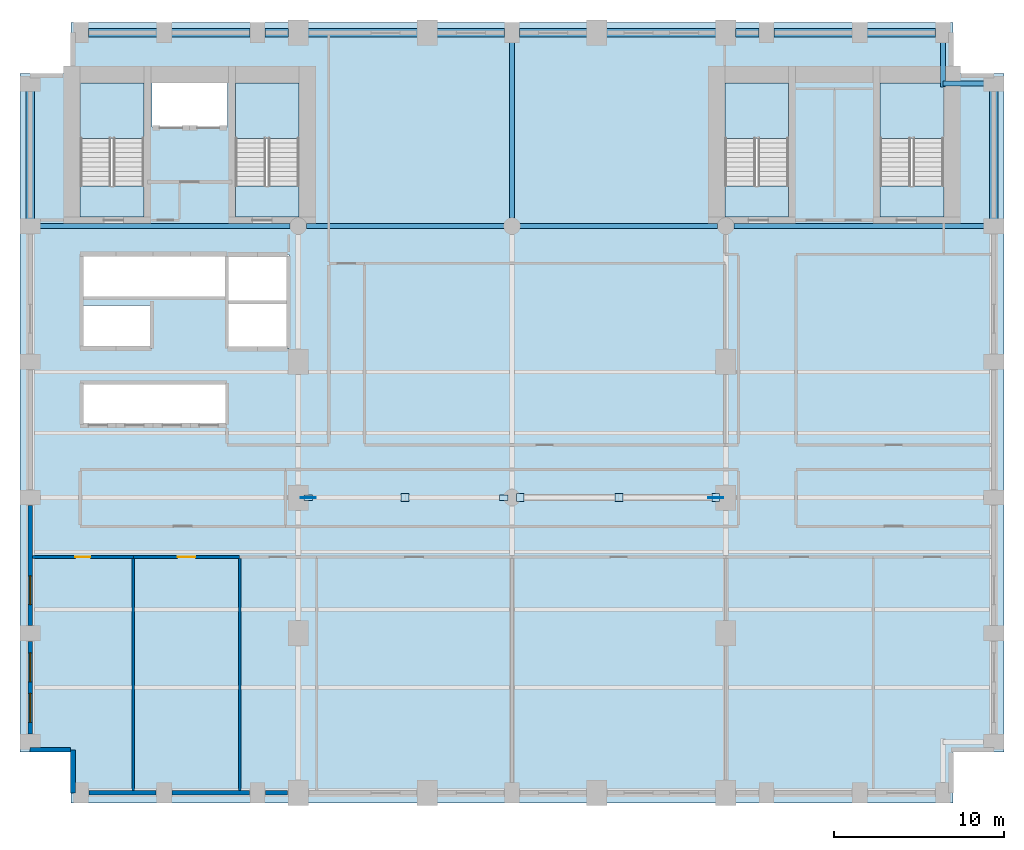
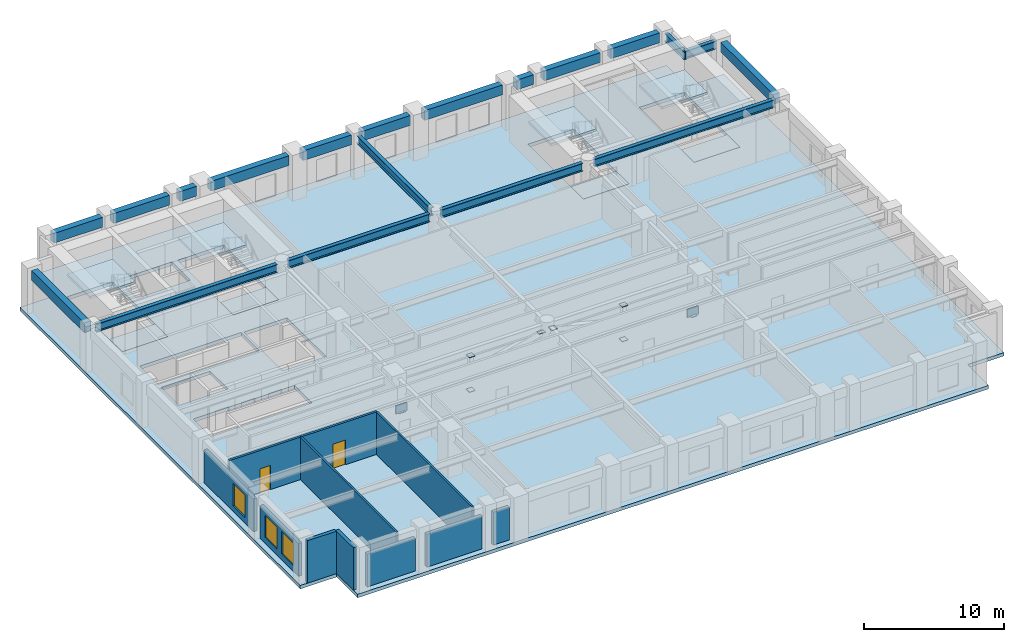
# One storey, part 4 of 10: 19 beams, 11 walls, 10 plates, 9 slabs, 3 windows, 2 doors, 5 openings, 4 elements without a shape of their own.
"""IFC4 building model written with IfcOpenShell, lengths in metres."""

from ifc_helpers import new_model, si_unit, direction, frame, frame_2d, origin, origin_2d, place, context, subcontext, project, spatial, polyline, rectangle, i_section, outline, extrude, material, layer, layer_set, material_profile, profile_set, type_object, element, fill, aggregate, save


model = new_model("IFC4")

# Units and contexts
model_context = context("Model", 3, precision=1e-05, world=origin(), true_north=direction((0.0, 1.0)))
body_context = subcontext(model_context, "Body", "Model", "MODEL_VIEW")
ifc_project = project(units=[si_unit("LENGTHUNIT", "METRE"), si_unit("AREAUNIT", "SQUARE_METRE"), si_unit("VOLUMEUNIT", "CUBIC_METRE"), si_unit("PLANEANGLEUNIT", "RADIAN"), si_unit("MASSUNIT", "GRAM", prefix="KILO")], contexts=[model_context])

# Site, building, storey
site_placement = place(None, origin())
site = spatial("IfcSite", under=ifc_project, at=site_placement, CompositionType="ELEMENT")
building_placement = place(site_placement, origin())
building = spatial("IfcBuilding", under=site, at=building_placement, Name="Sulina Concourse Tower", CompositionType="ELEMENT")
storey_placement = place(building_placement, frame((0.0, 0.0, 54.60009765625)))
storey = spatial("IfcBuildingStorey", under=building, at=storey_placement, Name="L13", CompositionType="ELEMENT", Elevation=54.60009765625)

# Beams
ifc_material_1 = material(Name="Steel S355", Category="steel")
ifc_material_profile_1 = material_profile(ifc_material_1, i_section(OverallWidth=0.300048828125, OverallDepth=0.699951171875, WebThickness=0.01708984375, FlangeThickness=0.031982421875, at=origin_2d()), Name="HE 700 B")
ifc_profile_set_1 = profile_set([ifc_material_profile_1], Name="Steel S355")
beam_type_1 = type_object("IfcBeamType", Name="Floor Primary Girder Zone 1 HE700B", PredefinedType="BEAM", material=ifc_profile_set_1)
beam_1_placement = place(storey_placement, frame((54.39990234375, 42.39990234375, 3.349853515625), z_axis=(1.0, 0.0, 0.0), x_axis=(0.0, 1.0, 0.0)))
element("IfcBeam", 1, at=beam_1_placement, inside=storey, type_object=beam_type_1, Name="TIE-NE-L13", PredefinedType="BEAM", context=body_context, shape_type="SweptSolid", body=[
    extrude(i_section(OverallWidth=0.300048828125, OverallDepth=0.699951171875, WebThickness=0.01708984375, FlangeThickness=0.031982421875, at=origin_2d()), origin(), (0.0, 0.0, 1.0), 2.570068359375),
])
beam_2_placement = place(storey_placement, frame((54.39990234375, 42.199951171875, 3.349853515625), z_axis=(0.0, 1.0, 0.0), x_axis=(-1.0, 0.0, 0.0)))
element("IfcBeam", 2, at=beam_2_placement, inside=storey, type_object=beam_type_1, Name="TIE-NEN-L13", PredefinedType="BEAM", context=body_context, shape_type="SweptSolid", body=[
    extrude(i_section(OverallWidth=0.300048828125, OverallDepth=0.699951171875, WebThickness=0.01708984375, FlangeThickness=0.031982421875, at=origin_2d()), origin(), (0.0, 0.0, 1.0), 2.77001953125),
])
beam_3_placement = place(storey_placement, frame((1.030029296875, 34.0, 3.349853515625), z_axis=(1.0, 0.0, 0.0), x_axis=(0.0, 1.0, 0.0)))
element("IfcBeam", 3, at=beam_3_placement, inside=storey, type_object=beam_type_1, Name="FG-EWN1-L13", PredefinedType="BEAM", context=body_context, shape_type="SweptSolid", body=[
    extrude(i_section(OverallWidth=0.300048828125, OverallDepth=0.699951171875, WebThickness=0.01708984375, FlangeThickness=0.031982421875, at=origin_2d()), origin(), (0.0, 0.0, 1.0), 14.889892578125),
])
for number, where, z_axis, x_axis, name in (
    (4, (16.8798828125, 34.0, 3.349853515625), (1.0, 0.0, 0.0), (0.0, 1.0, 0.0), "FG-EWN2-L13"),
    (5, (29.47998046875, 34.0, 3.349853515625), (1.0, 0.0, 0.0), (0.0, 1.0, 0.0), "FG-EWN3-L13"),
):
    element("IfcBeam", number, at=place(storey_placement, frame(where, z_axis=z_axis, x_axis=x_axis)), inside=storey, type_object=beam_type_1, Name=name, PredefinedType="BEAM", context=body_context, shape_type="SweptSolid", body=[
        extrude(i_section(OverallWidth=0.300048828125, OverallDepth=0.699951171875, WebThickness=0.01708984375, FlangeThickness=0.031982421875, at=origin_2d()), origin(), (0.0, 0.0, 1.0), 11.64013671875),
    ])
beam_4_placement = place(storey_placement, frame((42.080078125, 34.0, 3.349853515625), z_axis=(1.0, 0.0, 0.0), x_axis=(0.0, 1.0, 0.0)))
element("IfcBeam", 6, at=beam_4_placement, inside=storey, type_object=beam_type_1, Name="FG-EWN4-L13", PredefinedType="BEAM", context=body_context, shape_type="SweptSolid", body=[
    extrude(i_section(OverallWidth=0.300048828125, OverallDepth=0.699951171875, WebThickness=0.01708984375, FlangeThickness=0.031982421875, at=origin_2d()), origin(), (0.0, 0.0, 1.0), 14.889892578125),
])
beam_5_placement = place(storey_placement, frame((29.0, 34.47998046875, 3.349853515625), z_axis=(0.0, 1.0, 0.0), x_axis=(-1.0, 0.0, 0.0)))
element("IfcBeam", 7, at=beam_5_placement, inside=storey, type_object=beam_type_1, Name="FG-NSC-29-L13", PredefinedType="BEAM", context=body_context, shape_type="SweptSolid", body=[
    extrude(i_section(OverallWidth=0.300048828125, OverallDepth=0.699951171875, WebThickness=0.01708984375, FlangeThickness=0.031982421875, at=origin_2d()), origin(), (0.0, 0.0, 1.0), 10.489990234375),
])
ifc_material_2 = material(Name="Precast concrete C50/60", Category="concrete")
ifc_material_profile_2 = material_profile(ifc_material_2, rectangle(XDim=0.5, YDim=0.85009765625, at=origin_2d()), Name="RC 500x850")
ifc_profile_set_2 = profile_set([ifc_material_profile_2], Name="Precast concrete C50/60")
beam_type_2 = type_object("IfcBeamType", Name="Lower Precast Spandrel Edge Beam 500x850", PredefinedType="BEAM", material=ifc_profile_set_2)
beam_6_placement = place(storey_placement, frame((4.030029296875, 45.39990234375, 3.27490234375), z_axis=(1.0, 0.0, 0.0), x_axis=(0.0, 1.0, 0.0)))
element("IfcBeam", 8, at=beam_6_placement, inside=storey, type_object=beam_type_2, Name="SP-N1-L13", PredefinedType="BEAM", context=body_context, shape_type="SweptSolid", body=[
    extrude(rectangle(XDim=0.5, YDim=0.85009765625, at=origin_2d()), origin(), (0.0, 0.0, 1.0), 4.0400390625),
])
beam_7_placement = place(storey_placement, frame((8.929931640625, 45.39990234375, 3.27490234375), z_axis=(1.0, 0.0, 0.0), x_axis=(0.0, 1.0, 0.0)))
element("IfcBeam", 9, at=beam_7_placement, inside=storey, type_object=beam_type_2, Name="SP-N2-L13", PredefinedType="BEAM", context=body_context, shape_type="SweptSolid", body=[
    extrude(rectangle(XDim=0.5, YDim=0.85009765625, at=origin_2d()), origin(), (0.0, 0.0, 1.0), 4.64013671875),
])
beam_8_placement = place(storey_placement, frame((14.429931640625, 45.39990234375, 3.27490234375), z_axis=(1.0, 0.0, 0.0), x_axis=(0.0, 1.0, 0.0)))
element("IfcBeam", 10, at=beam_8_placement, inside=storey, type_object=beam_type_2, Name="SP-N3-L13", PredefinedType="BEAM", context=body_context, shape_type="SweptSolid", body=[
    extrude(rectangle(XDim=0.5, YDim=0.85009765625, at=origin_2d()), origin(), (0.0, 0.0, 1.0), 1.39013671875),
])
beam_9_placement = place(storey_placement, frame((16.97998046875, 45.39990234375, 3.27490234375), z_axis=(1.0, 0.0, 0.0), x_axis=(0.0, 1.0, 0.0)))
element("IfcBeam", 11, at=beam_9_placement, inside=storey, type_object=beam_type_2, Name="SP-N4-L13", PredefinedType="BEAM", context=body_context, shape_type="SweptSolid", body=[
    extrude(rectangle(XDim=0.5, YDim=0.85009765625, at=origin_2d()), origin(), (0.0, 0.0, 1.0), 6.43994140625),
])
for number, where, z_axis, x_axis, name in (
    (12, (24.580078125, 45.39990234375, 3.27490234375), (1.0, 0.0, 0.0), (0.0, 1.0, 0.0), "SP-N5-L13"),
    (13, (29.429931640625, 45.39990234375, 3.27490234375), (1.0, 0.0, 0.0), (0.0, 1.0, 0.0), "SP-N6-L13"),
):
    element("IfcBeam", number, at=place(storey_placement, frame(where, z_axis=z_axis, x_axis=x_axis)), inside=storey, type_object=beam_type_2, Name=name, PredefinedType="BEAM", context=body_context, shape_type="SweptSolid", body=[
        extrude(rectangle(XDim=0.5, YDim=0.85009765625, at=origin_2d()), origin(), (0.0, 0.0, 1.0), 3.989990234375),
    ])
beam_10_placement = place(storey_placement, frame((34.580078125, 45.39990234375, 3.27490234375), z_axis=(1.0, 0.0, 0.0), x_axis=(0.0, 1.0, 0.0)))
element("IfcBeam", 14, at=beam_10_placement, inside=storey, type_object=beam_type_2, Name="SP-N7-L13", PredefinedType="BEAM", context=body_context, shape_type="SweptSolid", body=[
    extrude(rectangle(XDim=0.5, YDim=0.85009765625, at=origin_2d()), origin(), (0.0, 0.0, 1.0), 6.43994140625),
])
beam_11_placement = place(storey_placement, frame((42.179931640625, 45.39990234375, 3.27490234375), z_axis=(1.0, 0.0, 0.0), x_axis=(0.0, 1.0, 0.0)))
element("IfcBeam", 15, at=beam_11_placement, inside=storey, type_object=beam_type_2, Name="SP-N8-L13", PredefinedType="BEAM", context=body_context, shape_type="SweptSolid", body=[
    extrude(rectangle(XDim=0.5, YDim=0.85009765625, at=origin_2d()), origin(), (0.0, 0.0, 1.0), 1.39013671875),
])
beam_12_placement = place(storey_placement, frame((44.429931640625, 45.39990234375, 3.27490234375), z_axis=(1.0, 0.0, 0.0), x_axis=(0.0, 1.0, 0.0)))
element("IfcBeam", 16, at=beam_12_placement, inside=storey, type_object=beam_type_2, Name="SP-N9-L13", PredefinedType="BEAM", context=body_context, shape_type="SweptSolid", body=[
    extrude(rectangle(XDim=0.5, YDim=0.85009765625, at=origin_2d()), origin(), (0.0, 0.0, 1.0), 4.64013671875),
])
beam_13_placement = place(storey_placement, frame((49.929931640625, 45.39990234375, 3.27490234375), z_axis=(1.0, 0.0, 0.0), x_axis=(0.0, 1.0, 0.0)))
element("IfcBeam", 17, at=beam_13_placement, inside=storey, type_object=beam_type_2, Name="SP-N10-L13", PredefinedType="BEAM", context=body_context, shape_type="SweptSolid", body=[
    extrude(rectangle(XDim=0.5, YDim=0.85009765625, at=origin_2d()), origin(), (0.0, 0.0, 1.0), 4.0400390625),
])
for number, where, z_axis, x_axis, name in (
    (18, (0.60009765625, 34.429931640625, 3.27490234375), (0.0, 1.0, 0.0), (-1.0, 0.0, 0.0), "SP-W5-L13"),
    (19, (57.39990234375, 34.429931640625, 3.27490234375), (0.0, 1.0, 0.0), (-1.0, 0.0, 0.0), "SP-E5-L13"),
):
    element("IfcBeam", number, at=place(storey_placement, frame(where, z_axis=z_axis, x_axis=x_axis)), inside=storey, type_object=beam_type_2, Name=name, PredefinedType="BEAM", context=body_context, shape_type="SweptSolid", body=[
        extrude(rectangle(XDim=0.5, YDim=0.85009765625, at=origin_2d()), origin(), (0.0, 0.0, 1.0), 7.5400390625),
    ])

# Plates
ifc_material_3 = material(Name="Steel S355", Category="steel")
ifc_layer_1 = layer(ifc_material_3, 0.050048828125)
ifc_layer_set_1 = layer_set([ifc_layer_1], Name="Steel S355")
plate_type_1 = type_object("IfcPlateType", Name="Bridge Truss Node Gusset Plate 50mm", PredefinedType="USERDEFINED", material=ifc_layer_set_1)
for number, where, z_axis, x_axis, name in (
    (20, (16.989990234375, 18.0, 0.06982421875), (0.0, 0.0, 1.0), (1.0, 0.0, 0.0), "LBT-DG-1-L13 node gusset plate"),
    (21, (41.010009765625, 18.0, 0.06982421875), (0.0, 0.0, 1.0), (1.0, 0.0, 0.0), "LBT-DG-2-L13 node gusset plate"),
):
    element("IfcPlate", number, at=place(storey_placement, frame(where, z_axis=z_axis, x_axis=x_axis)), inside=storey, type_object=plate_type_1, Name=name, ObjectType="GUSSET_PLATE", PredefinedType="USERDEFINED", context=body_context, shape_type="SweptSolid", body=[
        extrude(rectangle(XDim=0.89990234375, YDim=0.050048828125, at=origin_2d()), origin(), (0.0, 0.0, 1.0), 0.699951171875),
    ])
ifc_material_4 = material(Name="Steel S355", Category="steel")
ifc_layer_2 = layer(ifc_material_4, 0.035888671875)
ifc_layer_set_2 = layer_set([ifc_layer_2], Name="Steel S355")
plate_type_2 = type_object("IfcPlateType", Name="Heavy RHS500 End-Cap Plate 36mm", PredefinedType="USERDEFINED", material=ifc_layer_set_2)
for number, where, z_axis, x_axis, name in (
    (22, (16.989990234375, 18.0, 0.10205078125), (0.0, 0.0, 1.0), (1.0, 0.0, 0.0), "LBT-DG-1-L13 end cap plate 1"),
    (23, (28.510009765625, 18.0, 2.9921875), (0.0, 0.0, 1.0), (1.0, 0.0, 0.0), "LBT-DG-1-L13 end cap plate 2"),
):
    element("IfcPlate", number, at=place(storey_placement, frame(where, z_axis=z_axis, x_axis=x_axis)), inside=storey, type_object=plate_type_2, Name=name, ObjectType="CAP_PLATE", PredefinedType="USERDEFINED", context=body_context, shape_type="SweptSolid", body=[
        extrude(rectangle(XDim=0.52001953125, YDim=0.320068359375, at=origin_2d()), origin(), (0.0, 0.0, 1.0), 0.035888671875),
    ])

# Slab
ifc_material_5 = material(Name="Concrete C50/60", Category="concrete")
ifc_layer_3 = layer(ifc_material_5, 0.300048828125)
ifc_layer_set_3 = layer_set([ifc_layer_3], Name="Concrete C50/60")
slab_type_1 = type_object("IfcSlabType", Name="Low-Rise Composite Floor Slab 300mm", PredefinedType="FLOOR", material=ifc_layer_set_3)
slab_1_placement = place(storey_placement, frame((0.0, 0.0, -0.300048828125)))
element("IfcSlab", 24, at=slab_1_placement, inside=storey, type_object=slab_type_1, Name="L13 structural floor slab", PredefinedType="FLOOR", context=body_context, shape_type="SweptSolid", body=[
    extrude(outline(polyline([(3.0, 0.0), (55.0, 0.0), (55.0, 3.0), (58.0, 3.0), (58.0, 43.0), (55.0, 43.0), (55.0, 46.0), (3.0, 46.0), (3.0, 43.0), (0.0, 43.0), (0.0, 3.0), (3.0, 3.0), (3.0, 0.0)]), holes=[polyline([(7.31005859375, 34.550048828125), (7.31005859375, 42.429931640625), (3.550048828125, 42.429931640625), (3.550048828125, 34.550048828125), (7.31005859375, 34.550048828125)]), polyline([(16.449951171875, 34.550048828125), (16.449951171875, 42.429931640625), (12.68994140625, 42.429931640625), (12.68994140625, 34.550048828125), (16.449951171875, 34.550048828125)]), polyline([(45.31005859375, 34.550048828125), (45.31005859375, 42.429931640625), (41.550048828125, 42.429931640625), (41.550048828125, 34.550048828125), (45.31005859375, 34.550048828125)]), polyline([(54.449951171875, 34.550048828125), (54.449951171875, 42.429931640625), (50.68994140625, 42.429931640625), (50.68994140625, 34.550048828125), (54.449951171875, 34.550048828125)]), polyline([(7.780029296875, 39.830078125), (12.219970703125, 39.830078125), (12.219970703125, 42.449951171875), (7.780029296875, 42.449951171875), (7.780029296875, 39.830078125)]), polyline([(3.739990234375, 26.780029296875), (7.77001953125, 26.780029296875), (7.77001953125, 29.320068359375), (3.739990234375, 29.320068359375), (3.739990234375, 26.780029296875)]), polyline([(3.739990234375, 29.780029296875), (12.10009765625, 29.780029296875), (12.10009765625, 32.3701171875), (3.739990234375, 32.3701171875), (3.739990234375, 29.780029296875)]), polyline([(3.739990234375, 22.280029296875), (12.10009765625, 22.280029296875), (12.10009765625, 24.77001953125), (3.739990234375, 24.77001953125), (3.739990234375, 22.280029296875)]), polyline([(12.280029296875, 26.780029296875), (15.85009765625, 26.780029296875), (15.85009765625, 32.320068359375), (12.280029296875, 32.320068359375), (12.280029296875, 26.780029296875)])]), origin(), (0.0, 0.0, 1.0), 0.300048828125),
])

# Plates
ifc_material_6 = material(Name="Steel S355", Category="steel")
ifc_layer_4 = layer(ifc_material_6, 0.028076171875)
ifc_layer_set_4 = layer_set([ifc_layer_4], Name="Steel S355")
plate_type_3 = type_object("IfcPlateType", Name="Medium Hollow Section End-Cap Plate 28mm", PredefinedType="USERDEFINED", material=ifc_layer_set_4)
for number, where, z_axis, x_axis, name in (
    (25, (22.699951171875, 18.0, -0.00927734375), (0.0, 0.0, 1.0), (1.0, 0.0, 0.0), "LBT-VP-1-L13 end cap plate 1"),
    (26, (22.699951171875, 18.0, 2.99609375), (0.0, 0.0, 1.0), (1.0, 0.0, 0.0), "LBT-VP-1-L13 end cap plate 2"),
    (27, (41.010009765625, 18.0, 0.10595703125), (0.0, 0.0, 1.0), (1.0, 0.0, 0.0), "LBT-DG-2-L13 end cap plate 1"),
    (28, (29.489990234375, 18.0, 2.99609375), (0.0, 0.0, 1.0), (1.0, 0.0, 0.0), "LBT-DG-2-L13 end cap plate 2"),
    (29, (35.300048828125, 18.0, -0.00927734375), (0.0, 0.0, 1.0), (1.0, 0.0, 0.0), "LBT-VP-2-L13 end cap plate 1"),
    (30, (35.300048828125, 18.0, 2.99609375), (0.0, 0.0, 1.0), (1.0, 0.0, 0.0), "LBT-VP-2-L13 end cap plate 2"),
):
    element("IfcPlate", number, at=place(storey_placement, frame(where, z_axis=z_axis, x_axis=x_axis)), inside=storey, type_object=plate_type_3, Name=name, ObjectType="CAP_PLATE", PredefinedType="USERDEFINED", context=body_context, shape_type="SweptSolid", body=[
        extrude(rectangle(XDim=0.4599609375, YDim=0.4599609375, at=origin_2d()), origin(), (0.0, 0.0, 1.0), 0.028076171875),
    ])

# Slabs
ifc_material_7 = material(Name="Concrete C50/60", Category="concrete")
ifc_layer_5 = layer(ifc_material_7, 0.199951171875)
ifc_layer_set_5 = layer_set([ifc_layer_5], Name="Concrete C50/60")
slab_type_2 = type_object("IfcSlabType", Name="Primary Core Stair Landing Slab 200mm", PredefinedType="LANDING", material=ifc_layer_set_5)
slab_2_placement = place(storey_placement, frame((0.0, 0.0, -0.2001953125)))
element("IfcSlab", 31, at=slab_2_placement, inside=storey, type_object=slab_type_2, Name="L13 ST-1 floor landing slab", PredefinedType="LANDING", context=body_context, shape_type="SweptSolid", body=[
    extrude(outline(polyline([(7.31005859375, 34.550048828125), (7.31005859375, 36.375), (3.550048828125, 36.375), (3.550048828125, 34.550048828125), (7.31005859375, 34.550048828125)])), origin(), (0.0, 0.0, 1.0), 0.2001953125),
])
slab_3_placement = place(storey_placement, frame((0.0, 0.0, -0.2001953125)))
element("IfcSlab", 32, at=slab_3_placement, inside=storey, type_object=slab_type_2, Name="L13 ST-2 floor landing slab", PredefinedType="LANDING", context=body_context, shape_type="SweptSolid", body=[
    extrude(outline(polyline([(16.449951171875, 34.550048828125), (16.449951171875, 36.375), (12.68994140625, 36.375), (12.68994140625, 34.550048828125), (16.449951171875, 34.550048828125)])), origin(), (0.0, 0.0, 1.0), 0.2001953125),
])
slab_4_placement = place(storey_placement, frame((0.0, 0.0, -0.2001953125)))
element("IfcSlab", 33, at=slab_4_placement, inside=storey, type_object=slab_type_2, Name="L13 ST-3 floor landing slab", PredefinedType="LANDING", context=body_context, shape_type="SweptSolid", body=[
    extrude(outline(polyline([(45.31005859375, 34.550048828125), (45.31005859375, 36.375), (41.550048828125, 36.375), (41.550048828125, 34.550048828125), (45.31005859375, 34.550048828125)])), origin(), (0.0, 0.0, 1.0), 0.2001953125),
])
slab_5_placement = place(storey_placement, frame((0.0, 0.0, -0.2001953125)))
element("IfcSlab", 34, at=slab_5_placement, inside=storey, type_object=slab_type_2, Name="L13 ST-4 floor landing slab", PredefinedType="LANDING", context=body_context, shape_type="SweptSolid", body=[
    extrude(outline(polyline([(54.449951171875, 34.550048828125), (54.449951171875, 36.375), (50.68994140625, 36.375), (50.68994140625, 34.550048828125), (54.449951171875, 34.550048828125)])), origin(), (0.0, 0.0, 1.0), 0.2001953125),
])

# Stair, slab
ifc_material_8 = material(Name="Concrete C50/60", Category="concrete")
stair_type_1 = type_object("IfcStairType", Name="Primary Core Dog-Leg Exit Stair 1800mm", PredefinedType="HALF_TURN_STAIR", material=ifc_material_8)
stair_1_placement = place(storey_placement, origin())
stair_1 = element("IfcStair", 35, at=stair_1_placement, inside=storey, type_object=stair_type_1, Name="L13 ST-1", PredefinedType="HALF_TURN_STAIR")
slab_6_placement = place(storey_placement, frame((0.0, 0.0, 1.7998046875)))
slab_6 = element("IfcSlab", 36, at=slab_6_placement, type_object=slab_type_2, Name="ST-1 landing 1", PredefinedType="LANDING", context=body_context, shape_type="SweptSolid", body=[
    extrude(outline(polyline([(7.304931640625, 39.175048828125), (7.304931640625, 42.425048828125), (3.554931640625, 42.425048828125), (3.554931640625, 39.175048828125), (7.304931640625, 39.175048828125)])), origin(), (0.0, 0.0, 1.0), 0.2001953125),
])
aggregate(stair_1, [slab_6])

stair_2_placement = place(storey_placement, origin())
stair_2 = element("IfcStair", 37, at=stair_2_placement, inside=storey, type_object=stair_type_1, Name="L13 ST-2", PredefinedType="HALF_TURN_STAIR")
slab_7_placement = place(storey_placement, frame((0.0, 0.0, 1.7998046875)))
slab_7 = element("IfcSlab", 38, at=slab_7_placement, type_object=slab_type_2, Name="ST-2 landing 1", PredefinedType="LANDING", context=body_context, shape_type="SweptSolid", body=[
    extrude(outline(polyline([(16.445068359375, 39.175048828125), (16.445068359375, 42.425048828125), (12.695068359375, 42.425048828125), (12.695068359375, 39.175048828125), (16.445068359375, 39.175048828125)])), origin(), (0.0, 0.0, 1.0), 0.2001953125),
])
aggregate(stair_2, [slab_7])

ifc_material_9 = material(Name="Concrete C50/60", Category="concrete")
stair_type_2 = type_object("IfcStairType", Name="Portal & Podium Core Exit Stair 1820mm", PredefinedType="HALF_TURN_STAIR", material=ifc_material_9)
stair_3_placement = place(storey_placement, origin())
stair_3 = element("IfcStair", 39, at=stair_3_placement, inside=storey, type_object=stair_type_2, Name="L13 ST-3", PredefinedType="HALF_TURN_STAIR")
slab_8_placement = place(storey_placement, frame((0.0, 0.0, 1.7998046875)))
slab_8 = element("IfcSlab", 40, at=slab_8_placement, type_object=slab_type_2, Name="ST-3 landing 1", PredefinedType="LANDING", context=body_context, shape_type="SweptSolid", body=[
    extrude(outline(polyline([(45.304931640625, 39.175048828125), (45.304931640625, 42.425048828125), (41.554931640625, 42.425048828125), (41.554931640625, 39.175048828125), (45.304931640625, 39.175048828125)])), origin(), (0.0, 0.0, 1.0), 0.2001953125),
])
aggregate(stair_3, [slab_8])

stair_4_placement = place(storey_placement, origin())
stair_4 = element("IfcStair", 41, at=stair_4_placement, inside=storey, type_object=stair_type_2, Name="L13 ST-4", PredefinedType="HALF_TURN_STAIR")
slab_9_placement = place(storey_placement, frame((0.0, 0.0, 1.7998046875)))
slab_9 = element("IfcSlab", 42, at=slab_9_placement, type_object=slab_type_2, Name="ST-4 landing 1", PredefinedType="LANDING", context=body_context, shape_type="SweptSolid", body=[
    extrude(outline(polyline([(54.445068359375, 39.175048828125), (54.445068359375, 42.425048828125), (50.695068359375, 42.425048828125), (50.695068359375, 39.175048828125), (54.445068359375, 39.175048828125)])), origin(), (0.0, 0.0, 1.0), 0.2001953125),
])
aggregate(stair_4, [slab_9])

# Walls
ifc_material_10 = material(Name="Gypsum board on steel stud", Category="steel")
ifc_layer_6 = layer(ifc_material_10, 0.14990234375)
ifc_layer_set_6 = layer_set([ifc_layer_6], Name="Gypsum board on steel stud")
wall_type_1 = type_object("IfcWallType", Name="Inter-Tenancy Acoustic Partition 150mm", PredefinedType="PARTITIONING", material=ifc_layer_set_6)
for number, where, z_axis, x_axis, name in (
    (43, (6.679931640625, 0.739990234375, 0.0), (0.0, 0.0, 1.0), (0.0, 1.0, 0.0), "L13 interior partition 028"),
    (44, (12.93994140625, 0.739990234375, 0.0), (0.0, 0.0, 1.0), (0.0, 1.0, 0.0), "L13 interior partition 031"),
):
    element("IfcWall", number, at=place(storey_placement, frame(where, z_axis=z_axis, x_axis=x_axis)), inside=storey, type_object=wall_type_1, Name=name, PredefinedType="PARTITIONING", context=body_context, shape_type="SweptSolid", body=[
        extrude(rectangle(XDim=13.669921875, YDim=0.14990234375, at=frame_2d((6.8349609375, 0.0))), origin(), (0.0, 0.0, 1.0), 3.699951171875),
    ])

# Wall, opening, door
ifc_material_11 = material(Name="Gypsum board on steel stud", Category="steel")
ifc_layer_7 = layer(ifc_material_11, 0.179931640625)
ifc_layer_set_7 = layer_set([ifc_layer_7], Name="Gypsum board on steel stud")
wall_type_2 = type_object("IfcWallType", Name="Protected Corridor & Riser Partition 180mm", PredefinedType="PARTITIONING", material=ifc_layer_set_7)
wall_1_placement = place(storey_placement, frame((0.739990234375, 14.5, 0.0), z_axis=(0.0, 0.0, 1.0), x_axis=(1.0, 0.0, 0.0)))
wall_1 = element("IfcWall", 45, at=wall_1_placement, inside=storey, type_object=wall_type_2, Name="L13 interior partition 001", PredefinedType="PARTITIONING", context=body_context, shape_type="SweptSolid", body=[
    extrude(rectangle(XDim=5.93994140625, YDim=0.179931640625, at=frame_2d((2.969970703125, 0.0))), origin(), (0.0, 0.0, 1.0), 3.699951171875),
])
opening_1_placement = place(wall_1_placement, frame((2.530029296875, 0.0, 0.0)))
opening_1 = element("IfcOpeningElement", 46, at=opening_1_placement, cuts=wall_1, Name="Opening DR-38", PredefinedType="OPENING", context=body_context, shape_type="SweptSolid", body=[
    extrude(rectangle(XDim=0.8798828125, YDim=2.10009765625, at=frame_2d((0.43994140625, 1.050048828125))), frame((0.0, 0.099853515625, 0.0), z_axis=(0.0, -1.0, 0.0), x_axis=(1.0, 0.0, 0.0)), (0.0, 0.0, 1.0), 0.199951171875),
])
ifc_material_12 = material(Name="Galvanised steel acoustic fire leaf", Category="steel")
ifc_layer_8 = layer(ifc_material_12, 0.050048828125)
ifc_layer_set_8 = layer_set([ifc_layer_8], Name="Galvanised steel acoustic fire leaf")
door_type_1 = type_object("IfcDoorType", Name="Service Riser Fire Door 880x2100", OperationType="NOTDEFINED", PredefinedType="DOOR", material=ifc_layer_set_8)
door_1_placement = place(opening_1_placement, origin())
door_1 = element("IfcDoor", 47, at=door_1_placement, inside=storey, type_object=door_type_1, Name="L13 interior door L13-S01", OperationType="SINGLE_SWING_LEFT", OverallHeight=2.10009765625, OverallWidth=0.8798828125, PredefinedType="DOOR", context=body_context, shape_type="SweptSolid", body=[
    extrude(rectangle(XDim=0.8798828125, YDim=2.10009765625, at=frame_2d((0.43994140625, 1.050048828125))), frame((0.0, 0.02490234375, 0.0), z_axis=(0.0, -1.0, 0.0), x_axis=(1.0, 0.0, 0.0)), (0.0, 0.0, 1.0), 0.050048828125),
])
fill(opening_1, door_1)

wall_2_placement = place(storey_placement, frame((6.679931640625, 14.5, 0.0), z_axis=(0.0, 0.0, 1.0), x_axis=(1.0, 0.0, 0.0)))
wall_2 = element("IfcWall", 48, at=wall_2_placement, inside=storey, type_object=wall_type_2, Name="L13 interior partition 002", PredefinedType="PARTITIONING", context=body_context, shape_type="SweptSolid", body=[
    extrude(rectangle(XDim=6.260009765625, YDim=0.179931640625, at=frame_2d((3.1298828125, 0.0))), origin(), (0.0, 0.0, 1.0), 3.699951171875),
])
opening_2_placement = place(wall_2_placement, frame((2.60498046875, 0.0, 0.0)))
opening_2 = element("IfcOpeningElement", 49, at=opening_2_placement, cuts=wall_2, Name="Opening DR-37", PredefinedType="OPENING", context=body_context, shape_type="SweptSolid", body=[
    extrude(rectangle(XDim=1.050048828125, YDim=2.14990234375, at=frame_2d((0.52490234375, 1.074951171875))), frame((0.0, 0.099853515625, 0.0), z_axis=(0.0, -1.0, 0.0), x_axis=(1.0, 0.0, 0.0)), (0.0, 0.0, 1.0), 0.199951171875),
])
ifc_material_13 = material(Name="Oak-veneered fire door leaf")
ifc_layer_9 = layer(ifc_material_13, 0.050048828125)
ifc_layer_set_9 = layer_set([ifc_layer_9], Name="Oak-veneered fire door leaf")
door_type_2 = type_object("IfcDoorType", Name="Tenant Suite Entrance Fire Door 1050x2150", OperationType="NOTDEFINED", PredefinedType="DOOR", material=ifc_layer_set_9)
door_2_placement = place(opening_2_placement, origin())
door_2 = element("IfcDoor", 50, at=door_2_placement, inside=storey, type_object=door_type_2, Name="L13 interior door L13-S02A", OperationType="SINGLE_SWING_RIGHT", OverallHeight=2.14990234375, OverallWidth=1.050048828125, PredefinedType="DOOR", context=body_context, shape_type="SweptSolid", body=[
    extrude(rectangle(XDim=1.050048828125, YDim=2.14990234375, at=frame_2d((0.52490234375, 1.074951171875))), frame((0.0, 0.02490234375, 0.0), z_axis=(0.0, -1.0, 0.0), x_axis=(1.0, 0.0, 0.0)), (0.0, 0.0, 1.0), 0.050048828125),
])
fill(opening_2, door_2)

# Walls
ifc_material_14 = material(Name="Precast concrete C50/60", Category="concrete")
ifc_layer_10 = layer(ifc_material_14, 0.280029296875)
ifc_layer_set_10 = layer_set([ifc_layer_10], Name="Precast concrete C50/60")
wall_type_3 = type_object("IfcWallType", Name="Typical Precast Masonry-Frame Facade Wall 280mm", PredefinedType="SOLIDWALL", material=ifc_layer_set_10)
wall_3_placement = place(storey_placement, frame((8.030029296875, 0.60009765625, 0.0), z_axis=(0.0, 0.0, 1.0), x_axis=(-1.0, 0.0, 0.0)))
element("IfcWall", 51, at=wall_3_placement, inside=storey, type_object=wall_type_3, Name="L13 exterior precast wall S1", PredefinedType="SOLIDWALL", context=body_context, shape_type="SweptSolid", body=[
    extrude(rectangle(XDim=3.9599609375, YDim=0.280029296875, at=frame_2d((1.97998046875, 0.0))), origin(), (0.0, 0.0, 1.0), 2.849853515625),
])
wall_4_placement = place(storey_placement, frame((13.530029296875, 0.60009765625, 0.0), z_axis=(0.0, 0.0, 1.0), x_axis=(-1.0, 0.0, 0.0)))
element("IfcWall", 52, at=wall_4_placement, inside=storey, type_object=wall_type_3, Name="L13 exterior precast wall S2", PredefinedType="SOLIDWALL", context=body_context, shape_type="SweptSolid", body=[
    extrude(rectangle(XDim=4.56005859375, YDim=0.280029296875, at=frame_2d((2.280029296875, 0.0))), origin(), (0.0, 0.0, 1.0), 2.849853515625),
])
wall_5_placement = place(storey_placement, frame((15.780029296875, 0.60009765625, 0.0), z_axis=(0.0, 0.0, 1.0), x_axis=(-1.0, 0.0, 0.0)))
element("IfcWall", 53, at=wall_5_placement, inside=storey, type_object=wall_type_3, Name="L13 exterior precast wall S3", PredefinedType="SOLIDWALL", context=body_context, shape_type="SweptSolid", body=[
    extrude(rectangle(XDim=1.31005859375, YDim=0.280029296875, at=frame_2d((0.655029296875, 0.0))), origin(), (0.0, 0.0, 1.0), 2.849853515625),
])

# Wall, openings, windows
wall_6_placement = place(storey_placement, frame((0.60009765625, 4.070068359375, 0.0), z_axis=(0.0, 0.0, 1.0), x_axis=(0.0, 1.0, 0.0)))
wall_6 = element("IfcWall", 54, at=wall_6_placement, inside=storey, type_object=wall_type_3, Name="L13 exterior precast wall W1", PredefinedType="SOLIDWALL", context=body_context, shape_type="SweptSolid", body=[
    extrude(rectangle(XDim=5.4599609375, YDim=0.280029296875, at=frame_2d((2.72998046875, 0.0))), origin(), (0.0, 0.0, 1.0), 2.849853515625),
])
opening_3_placement = place(wall_6_placement, frame((0.686767578125, 0.0, 0.5)))
opening_3 = element("IfcOpeningElement", 55, at=opening_3_placement, cuts=wall_6, Name="Opening WN-66", PredefinedType="OPENING", context=body_context, shape_type="SweptSolid", body=[
    extrude(rectangle(XDim=1.699951171875, YDim=1.949951171875, at=frame_2d((0.85009765625, 0.97509765625))), frame((0.0, 0.14990234375, 0.0), z_axis=(0.0, -1.0, 0.0), x_axis=(1.0, 0.0, 0.0)), (0.0, 0.0, 1.0), 0.300048828125),
])
opening_4_placement = place(wall_6_placement, frame((3.0732421875, 0.0, 0.5)))
opening_4 = element("IfcOpeningElement", 56, at=opening_4_placement, cuts=wall_6, Name="Opening WN-66", PredefinedType="OPENING", context=body_context, shape_type="SweptSolid", body=[
    extrude(rectangle(XDim=1.699951171875, YDim=1.949951171875, at=frame_2d((0.85009765625, 0.97509765625))), frame((0.0, 0.14990234375, 0.0), z_axis=(0.0, -1.0, 0.0), x_axis=(1.0, 0.0, 0.0)), (0.0, 0.0, 1.0), 0.300048828125),
])
ifc_material_15 = material(Name="Low-E solar double glazing in bronze aluminium", Category="aluminium")
window_type = type_object("IfcWindowType", Name="Recessed Spandrel Window 1700x1950", PartitioningType="SINGLE_PANEL", PredefinedType="WINDOW", material=ifc_material_15)
window_1_placement = place(opening_3_placement, origin())
window_1 = element("IfcWindow", 57, at=window_1_placement, inside=storey, type_object=window_type, Name="L13 punched window W1-1", OverallHeight=1.949951171875, OverallWidth=1.699951171875, PartitioningType="SINGLE_PANEL", PredefinedType="WINDOW", context=body_context, shape_type="SweptSolid", body=[
    extrude(rectangle(XDim=1.699951171875, YDim=1.949951171875, at=frame_2d((0.85009765625, 0.97509765625))), frame((0.0, 0.030029296875, 0.0), z_axis=(0.0, -1.0, 0.0), x_axis=(1.0, 0.0, 0.0)), (0.0, 0.0, 1.0), 0.06005859375),
])
fill(opening_3, window_1)
window_2_placement = place(opening_4_placement, origin())
window_2 = element("IfcWindow", 58, at=window_2_placement, inside=storey, type_object=window_type, Name="L13 punched window W1-2", OverallHeight=1.949951171875, OverallWidth=1.699951171875, PartitioningType="SINGLE_PANEL", PredefinedType="WINDOW", context=body_context, shape_type="SweptSolid", body=[
    extrude(rectangle(XDim=1.699951171875, YDim=1.949951171875, at=frame_2d((0.85009765625, 0.97509765625))), frame((0.0, 0.030029296875, 0.0), z_axis=(0.0, -1.0, 0.0), x_axis=(1.0, 0.0, 0.0)), (0.0, 0.0, 1.0), 0.06005859375),
])
fill(opening_4, window_2)

# Wall, opening, window
wall_7_placement = place(storey_placement, frame((0.60009765625, 10.469970703125, 0.0), z_axis=(0.0, 0.0, 1.0), x_axis=(0.0, 1.0, 0.0)))
wall_7 = element("IfcWall", 59, at=wall_7_placement, inside=storey, type_object=wall_type_3, Name="L13 exterior precast wall W2", PredefinedType="SOLIDWALL", context=body_context, shape_type="SweptSolid", body=[
    extrude(rectangle(XDim=7.06005859375, YDim=0.280029296875, at=frame_2d((3.530029296875, 0.0))), origin(), (0.0, 0.0, 1.0), 2.849853515625),
])
opening_5_placement = place(wall_7_placement, frame((1.219970703125, 0.0, 0.5)))
opening_5 = element("IfcOpeningElement", 60, at=opening_5_placement, cuts=wall_7, Name="Opening WN-66", PredefinedType="OPENING", context=body_context, shape_type="SweptSolid", body=[
    extrude(rectangle(XDim=1.699951171875, YDim=1.949951171875, at=frame_2d((0.85009765625, 0.97509765625))), frame((0.0, 0.14990234375, 0.0), z_axis=(0.0, -1.0, 0.0), x_axis=(1.0, 0.0, 0.0)), (0.0, 0.0, 1.0), 0.300048828125),
])
window_3_placement = place(opening_5_placement, origin())
window_3 = element("IfcWindow", 61, at=window_3_placement, inside=storey, type_object=window_type, Name="L13 punched window W2-1", OverallHeight=1.949951171875, OverallWidth=1.699951171875, PartitioningType="SINGLE_PANEL", PredefinedType="WINDOW", context=body_context, shape_type="SweptSolid", body=[
    extrude(rectangle(XDim=1.699951171875, YDim=1.949951171875, at=frame_2d((0.85009765625, 0.97509765625))), frame((0.0, 0.030029296875, 0.0), z_axis=(0.0, -1.0, 0.0), x_axis=(1.0, 0.0, 0.0)), (0.0, 0.0, 1.0), 0.06005859375),
])
fill(opening_5, window_3)

# Walls
wall_8_placement = place(storey_placement, frame((3.1298828125, 0.60009765625, 0.0), z_axis=(0.0, 0.0, 1.0), x_axis=(0.0, 1.0, 0.0)))
element("IfcWall", 62, at=wall_8_placement, inside=storey, type_object=wall_type_3, Name="L13 exterior precast wall CSW1", PredefinedType="SOLIDWALL", context=body_context, shape_type="SweptSolid", body=[
    extrude(rectangle(XDim=2.52978515625, YDim=0.280029296875, at=frame_2d((1.264892578125, 0.0))), origin(), (0.0, 0.0, 1.0), 3.699951171875),
])
wall_9_placement = place(storey_placement, frame((2.985107421875, 3.1298828125, 0.0), z_axis=(0.0, 0.0, 1.0), x_axis=(-1.0, 0.0, 0.0)))
element("IfcWall", 63, at=wall_9_placement, inside=storey, type_object=wall_type_3, Name="L13 exterior precast wall CSW2", PredefinedType="SOLIDWALL", context=body_context, shape_type="SweptSolid", body=[
    extrude(rectangle(XDim=2.385009765625, YDim=0.280029296875, at=frame_2d((1.1923828125, 0.0))), origin(), (0.0, 0.0, 1.0), 3.699951171875),
])

save(model, "model.ifc")
